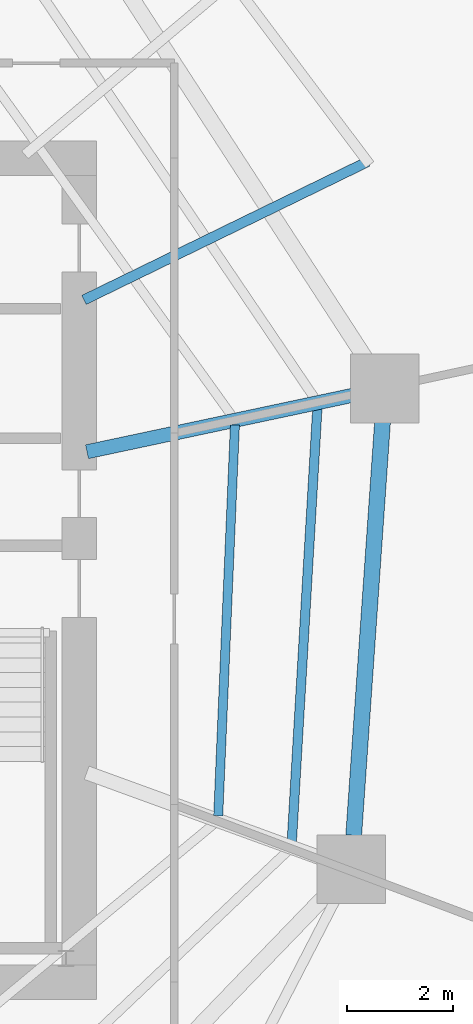
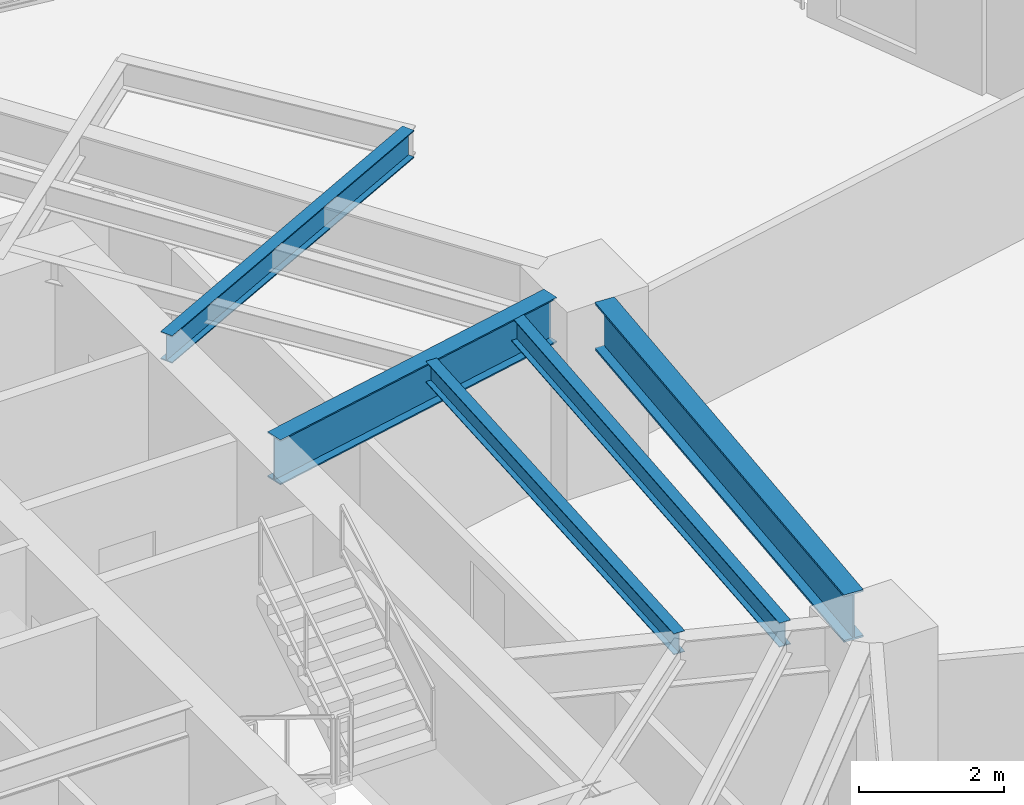
# One storey, part 14 of 32: 5 beams.
"""IFC4 building model written with IfcOpenShell, lengths in metres."""

from ifc_helpers import new_model, si_unit, direction, frame, origin, origin_2d, place, context, subcontext, project, spatial, i_section, extrude, material, material_profile, profile_set, type_object, element, save


model = new_model("IFC4")

# Units and contexts
model_context = context("Model", 3, precision=1e-05, world=origin(), true_north=direction((0.0, 1.0)))
body_context = subcontext(model_context, "Body", "Model", "MODEL_VIEW")
ifc_project = project(units=[si_unit("LENGTHUNIT", "METRE"), si_unit("AREAUNIT", "SQUARE_METRE"), si_unit("VOLUMEUNIT", "CUBIC_METRE"), si_unit("PLANEANGLEUNIT", "RADIAN"), si_unit("MASSUNIT", "GRAM", prefix="KILO")], contexts=[model_context])

# Site, building, storey
site_placement = place(None, origin())
site = spatial("IfcSite", under=ifc_project, at=site_placement, CompositionType="ELEMENT")
building_placement = place(site_placement, origin())
building = spatial("IfcBuilding", under=site, at=building_placement, Name="Qarnah Convention Tower", CompositionType="ELEMENT")
storey_placement = place(building_placement, frame((0.0, 0.0, 37.35009765625)))
storey = spatial("IfcBuildingStorey", under=building, at=storey_placement, Name="L08", CompositionType="ELEMENT", Elevation=37.35009765625)

# Beams
ifc_material = material(Name="Structural steel S355JR", Category="steel")
ifc_material_profile_1 = material_profile(ifc_material, i_section(OverallWidth=0.19189453125, OverallDepth=0.464111328125, WebThickness=0.010986328125, FlangeThickness=0.01806640625, at=origin_2d()), Name="W460X89")
ifc_profile_set_1 = profile_set([ifc_material_profile_1], Name="Structural steel S355JR")
beam_type_1 = type_object("IfcBeamType", Name="BM-CANT-W460A", PredefinedType="BEAM", material=ifc_profile_set_1)
beam_1_placement = place(storey_placement, frame((47.68994140625, 31.51611328125, 2.93798828125), z_axis=(0.898845814475, 0.438264990388, 0.0), x_axis=(-0.438264990388, 0.898845814475, 0.0)))
element("IfcBeam", 1, at=beam_1_placement, inside=storey, type_object=beam_type_1, Name="L08 beam BM-L08-CNT-01-1", PredefinedType="BEAM", context=body_context, shape_type="SweptSolid", body=[
    extrude(i_section(OverallWidth=0.19189453125, OverallDepth=0.464111328125, WebThickness=0.010986328125, FlangeThickness=0.01806640625, at=origin_2d()), origin(), (0.0, 0.0, 1.0), 5.973388671875),
])
ifc_material_profile_2 = material_profile(ifc_material, i_section(OverallWidth=0.172119140625, OverallDepth=0.35595703125, WebThickness=0.007080078125, FlangeThickness=0.011962890625, at=origin_2d()), Name="W360X51")
ifc_profile_set_2 = profile_set([ifc_material_profile_2], Name="Structural steel S355JR")
beam_type_2 = type_object("IfcBeamType", Name="BM-JST-W360", PredefinedType="JOIST", material=ifc_profile_set_2)
beam_2_placement = place(storey_placement, frame((50.23193359375, 21.7490234375, 2.991943359375), z_axis=(0.042691854151, 0.999088287184, 0.0), x_axis=(-0.999088287184, 0.042691854151, 0.0)))
element("IfcBeam", 2, at=beam_2_placement, inside=storey, type_object=beam_type_2, Name="L08 joist BM-L08-IJST-09", PredefinedType="JOIST", context=body_context, shape_type="SweptSolid", body=[
    extrude(i_section(OverallWidth=0.172119140625, OverallDepth=0.35595703125, WebThickness=0.007080078125, FlangeThickness=0.011962890625, at=origin_2d()), origin(), (0.0, 0.0, 1.0), 7.40576171875),
])
ifc_material_profile_3 = material_profile(ifc_material, i_section(OverallWidth=0.177978515625, OverallDepth=0.407958984375, WebThickness=0.008056640625, FlangeThickness=0.012939453125, at=origin_2d()), Name="W410X60")
ifc_profile_set_3 = profile_set([ifc_material_profile_3], Name="Structural steel S355JR")
beam_type_3 = type_object("IfcBeamType", Name="BM-JST-W410", PredefinedType="JOIST", material=ifc_profile_set_3)
beam_3_placement = place(storey_placement, frame((51.6240234375, 21.241943359375, 2.9658203125), z_axis=(0.058902383337, 0.998263747332, 0.0), x_axis=(-0.998263747332, 0.058902383337, 0.0)))
element("IfcBeam", 3, at=beam_3_placement, inside=storey, type_object=beam_type_3, Name="L08 joist BM-L08-SJST-09", PredefinedType="JOIST", context=body_context, shape_type="SweptSolid", body=[
    extrude(i_section(OverallWidth=0.177978515625, OverallDepth=0.407958984375, WebThickness=0.008056640625, FlangeThickness=0.012939453125, at=origin_2d()), origin(), (0.0, 0.0, 1.0), 8.25244140625),
])
ifc_material_profile_4 = material_profile(ifc_material, i_section(OverallWidth=0.26806640625, OverallDepth=0.760009765625, WebThickness=0.014892578125, FlangeThickness=0.02197265625, at=origin_2d()), Name="W760X185")
ifc_profile_set_4 = profile_set([ifc_material_profile_4], Name="Structural steel S355JR")
beam_type_4 = type_object("IfcBeamType", Name="BM-RAD-W760", PredefinedType="BEAM", material=ifc_profile_set_4)
beam_4_placement = place(storey_placement, frame((47.7470703125, 28.64208984375, 2.789794921875), z_axis=(0.978155710431, 0.207873534031, 0.0), x_axis=(-0.207873534031, 0.978155710431, 0.0)))
element("IfcBeam", 4, at=beam_4_placement, inside=storey, type_object=beam_type_4, Name="L08 beam BM-L08-RAD-01", PredefinedType="BEAM", context=body_context, shape_type="SweptSolid", body=[
    extrude(i_section(OverallWidth=0.26806640625, OverallDepth=0.760009765625, WebThickness=0.014892578125, FlangeThickness=0.02197265625, at=origin_2d()), origin(), (0.0, 0.0, 1.0), 5.13720703125),
])
ifc_material_profile_5 = material_profile(ifc_material, i_section(OverallWidth=0.300048828125, OverallDepth=0.800048828125, WebThickness=0.01806640625, FlangeThickness=0.032958984375, at=origin_2d()), Name="HEB800")
ifc_profile_set_5 = profile_set([ifc_material_profile_5], Name="Structural steel S355JR")
beam_type_5 = type_object("IfcBeamType", Name="BM-RING-HEB800", PredefinedType="BEAM", material=ifc_profile_set_5)
beam_5_placement = place(storey_placement, frame((52.797119140625, 21.3779296875, 2.77001953125), z_axis=(0.069594661237, 0.997575352105, 0.0), x_axis=(-0.997575352105, 0.069594661237, 0.0)))
element("IfcBeam", 5, at=beam_5_placement, inside=storey, type_object=beam_type_5, Name="L08 beam BM-L08-SPN-09", PredefinedType="BEAM", context=body_context, shape_type="SweptSolid", body=[
    extrude(i_section(OverallWidth=0.300048828125, OverallDepth=0.800048828125, WebThickness=0.01806640625, FlangeThickness=0.032958984375, at=origin_2d()), origin(), (0.0, 0.0, 1.0), 7.843994140625),
])

save(model, "model.ifc")
